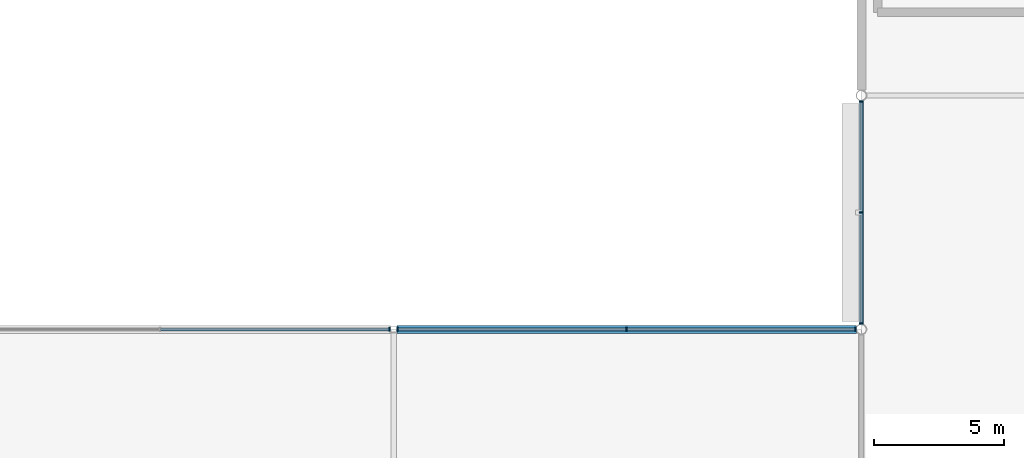
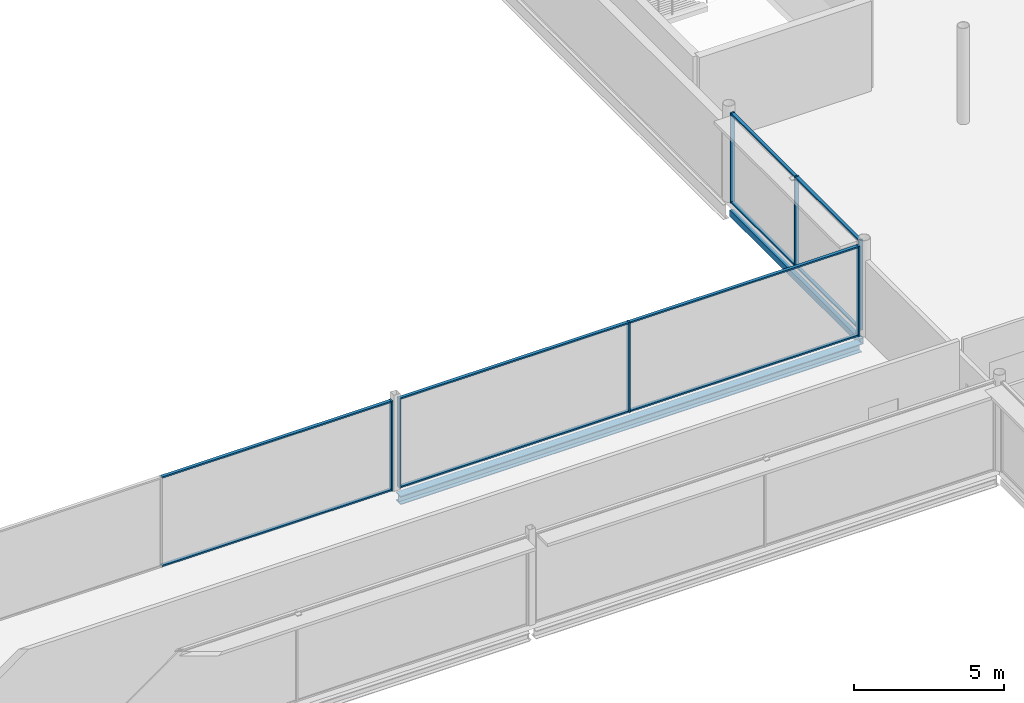
# One storey, part 41 of 96: 17 members, 2 beams, 3 elements without a shape of their own.
"""IFC4 building model written with IfcOpenShell, lengths in metres."""

from ifc_helpers import new_model, si_unit, direction, frame, origin, origin_2d, place, context, subcontext, project, spatial, rectangle, hollow_rectangle, i_section, extrude, material, layer, layer_set, material_profile, profile_set, type_object, element, aggregate, save


model = new_model("IFC4")

# Units and contexts
model_context = context("Model", 3, precision=1e-05, world=origin(), true_north=direction((0.0, 1.0)))
body_context = subcontext(model_context, "Body", "Model", "MODEL_VIEW")
ifc_project = project(units=[si_unit("LENGTHUNIT", "METRE"), si_unit("AREAUNIT", "SQUARE_METRE"), si_unit("VOLUMEUNIT", "CUBIC_METRE"), si_unit("PLANEANGLEUNIT", "RADIAN"), si_unit("MASSUNIT", "GRAM", prefix="KILO")], contexts=[model_context])

# Site, building, storey
site_placement = place(None, origin())
site = spatial("IfcSite", under=ifc_project, at=site_placement, CompositionType="ELEMENT")
building_placement = place(site_placement, origin())
building = spatial("IfcBuilding", under=site, at=building_placement, Name="Kisiwana Market Hall", CompositionType="ELEMENT")
storey_placement = place(building_placement, frame((0.0, 0.0, 25.5)))
storey = spatial("IfcBuildingStorey", under=building, at=storey_placement, Name="L05", CompositionType="ELEMENT", Elevation=25.5)

# Beams
ifc_material_1 = material(Name="Steel S355", Category="steel")
ifc_material_profile_1 = material_profile(ifc_material_1, i_section(OverallWidth=0.314453125, OverallDepth=0.33984375, WebThickness=0.01904296875, FlangeThickness=0.031494140625, at=origin_2d()), Name="UC 305x305x198")
ifc_profile_set_1 = profile_set([ifc_material_profile_1], Name="Steel S355")
beam_type_1 = type_object("IfcBeamType", Name="BM-SKYBR-CHORD", PredefinedType="BEAM", material=ifc_profile_set_1)
beam_1_placement = place(storey_placement, frame((135.12109375, 27.0, -0.43505859375), z_axis=(1.0, 0.0, 0.0), x_axis=(0.0, 1.0, 0.0)))
element("IfcBeam", 1, at=beam_1_placement, inside=storey, type_object=beam_type_1, Name="Floor beam B-1622", PredefinedType="BEAM", context=body_context, shape_type="SweptSolid", body=[
    extrude(i_section(OverallWidth=0.314453125, OverallDepth=0.33984375, WebThickness=0.01904296875, FlangeThickness=0.031494140625, at=origin_2d()), origin(), (0.0, 0.0, 1.0), 17.696533203125),
])
ifc_material_2 = material(Name="Steel S355", Category="steel")
ifc_material_profile_2 = material_profile(ifc_material_2, hollow_rectangle(XDim=0.14990234375, YDim=0.25, WallThickness=0.010009765625, at=origin_2d()), Name="RHS 250x150x10.0")
ifc_profile_set_2 = profile_set([ifc_material_profile_2], Name="Steel S355")
beam_type_2 = type_object("IfcBeamType", Name="BM-SPAN-RHS250", PredefinedType="SPANDREL", material=ifc_profile_set_2)
beam_2_placement = place(storey_placement, frame((153.0, 27.18017578125, -0.43994140625), z_axis=(0.0, 1.0, 0.0), x_axis=(-1.0, 0.0, 0.0)))
element("IfcBeam", 2, at=beam_2_placement, inside=storey, type_object=beam_type_2, Name="Floor beam B-1684", PredefinedType="SPANDREL", context=body_context, shape_type="SweptSolid", body=[
    extrude(hollow_rectangle(XDim=0.14990234375, YDim=0.25, WallThickness=0.010009765625, at=origin_2d()), origin(), (0.0, 0.0, 1.0), 8.6396484375),
])

# Curtain wall, member
ifc_material_3 = material(Name="Double-glazed solar-control low-E IGU", Category="glass")
ifc_layer = layer(ifc_material_3, 0.159912109375)
ifc_layer_set = layer_set([ifc_layer], Name="CW-ZNA-EW-8200")
curtain_wall_type = type_object("IfcCurtainWallType", Name="CW-ZNA-EW-8200", PredefinedType="USERDEFINED", material=ifc_layer_set)
curtain_wall_1_placement = place(storey_placement, origin())
curtain_wall_1 = element("IfcCurtainWall", 3, at=curtain_wall_1_placement, inside=storey, type_object=curtain_wall_type, Name="Unitised curtain wall CW-142 (L05)", ObjectType="UNITISED CURTAIN WALL", PredefinedType="USERDEFINED")
ifc_material_4 = material(Name="Aluminium alloy 6063-T6", Category="aluminium")
ifc_material_profile_3 = material_profile(ifc_material_4, rectangle(XDim=0.06005859375, YDim=0.159912109375, at=origin_2d()), Name="ALU MULLION 60x160")
ifc_profile_set_3 = profile_set([ifc_material_profile_3], Name="Aluminium alloy 6063-T6")
member_type_1 = type_object("IfcMemberType", Name="CW-MULL-60x160", PredefinedType="MULLION", material=ifc_profile_set_3)
member_1_placement = place(storey_placement, frame((134.844970703125, 27.0, 0.0), z_axis=(0.0, 0.0, 1.0), x_axis=(1.0, 0.0, 0.0)))
member_1 = element("IfcMember", 4, at=member_1_placement, type_object=member_type_1, Name="CW-142 mullion 3", PredefinedType="MULLION", context=body_context, shape_type="SweptSolid", body=[
    extrude(rectangle(XDim=0.06005859375, YDim=0.159912109375, at=origin_2d()), origin(), (0.0, 0.0, 1.0), 3.655029296875),
])

# Curtain wall, members
curtain_wall_2_placement = place(storey_placement, origin())
curtain_wall_2 = element("IfcCurtainWall", 5, at=curtain_wall_2_placement, inside=storey, type_object=curtain_wall_type, Name="Unitised curtain wall CW-143 (L05)", ObjectType="UNITISED CURTAIN WALL", PredefinedType="USERDEFINED")
member_2_placement = place(storey_placement, frame((135.155029296875, 27.0, 0.0), z_axis=(0.0, 0.0, 1.0), x_axis=(1.0, 0.0, 0.0)))
member_2 = element("IfcMember", 6, at=member_2_placement, type_object=member_type_1, Name="CW-143 mullion 1", PredefinedType="MULLION", context=body_context, shape_type="SweptSolid", body=[
    extrude(rectangle(XDim=0.06005859375, YDim=0.159912109375, at=origin_2d()), origin(), (0.0, 0.0, 1.0), 3.655029296875),
])
member_3_placement = place(storey_placement, frame((143.9609375, 27.0, 0.0), z_axis=(0.0, 0.0, 1.0), x_axis=(1.0, 0.0, 0.0)))
member_3 = element("IfcMember", 7, at=member_3_placement, type_object=member_type_1, Name="CW-143 mullion 2", PredefinedType="MULLION", context=body_context, shape_type="SweptSolid", body=[
    extrude(rectangle(XDim=0.06005859375, YDim=0.159912109375, at=origin_2d()), origin(), (0.0, 0.0, 1.0), 3.655029296875),
])
member_4_placement = place(storey_placement, frame((152.766845703125, 27.0, 0.0), z_axis=(0.0, 0.0, 1.0), x_axis=(1.0, 0.0, 0.0)))
member_4 = element("IfcMember", 8, at=member_4_placement, type_object=member_type_1, Name="CW-143 mullion 3", PredefinedType="MULLION", context=body_context, shape_type="SweptSolid", body=[
    extrude(rectangle(XDim=0.06005859375, YDim=0.159912109375, at=origin_2d()), origin(), (0.0, 0.0, 1.0), 3.655029296875),
])

curtain_wall_3_placement = place(storey_placement, origin())
curtain_wall_3 = element("IfcCurtainWall", 9, at=curtain_wall_3_placement, inside=storey, type_object=curtain_wall_type, Name="Unitised curtain wall CW-165 (L05)", ObjectType="UNITISED CURTAIN WALL", PredefinedType="USERDEFINED")
member_5_placement = place(storey_placement, frame((153.0, 27.233154296875, 0.0), z_axis=(0.0, 0.0, 1.0), x_axis=(0.0, 1.0, 0.0)))
member_5 = element("IfcMember", 10, at=member_5_placement, type_object=member_type_1, Name="CW-165 mullion 1", PredefinedType="MULLION", context=body_context, shape_type="SweptSolid", body=[
    extrude(rectangle(XDim=0.06005859375, YDim=0.159912109375, at=origin_2d()), origin(), (0.0, 0.0, 1.0), 3.655029296875),
])
member_6_placement = place(storey_placement, frame((153.0, 31.5, 0.0), z_axis=(0.0, 0.0, 1.0), x_axis=(0.0, 1.0, 0.0)))
member_6 = element("IfcMember", 11, at=member_6_placement, type_object=member_type_1, Name="CW-165 mullion 2", PredefinedType="MULLION", context=body_context, shape_type="SweptSolid", body=[
    extrude(rectangle(XDim=0.06005859375, YDim=0.159912109375, at=origin_2d()), origin(), (0.0, 0.0, 1.0), 3.655029296875),
])
member_7_placement = place(storey_placement, frame((153.0, 35.766845703125, 0.0), z_axis=(0.0, 0.0, 1.0), x_axis=(0.0, 1.0, 0.0)))
member_7 = element("IfcMember", 12, at=member_7_placement, type_object=member_type_1, Name="CW-165 mullion 3", PredefinedType="MULLION", context=body_context, shape_type="SweptSolid", body=[
    extrude(rectangle(XDim=0.06005859375, YDim=0.159912109375, at=origin_2d()), origin(), (0.0, 0.0, 1.0), 3.655029296875),
])

# Member
ifc_material_5 = material(Name="Aluminium alloy 6063-T6", Category="aluminium")
ifc_material_profile_4 = material_profile(ifc_material_5, rectangle(XDim=0.1201171875, YDim=0.06005859375, at=origin_2d()), Name="ALU TRANSOM 60x120")
ifc_profile_set_4 = profile_set([ifc_material_profile_4], Name="Aluminium alloy 6063-T6")
member_type_2 = type_object("IfcMemberType", Name="CW-TRAN-60x120", PredefinedType="USERDEFINED", material=ifc_profile_set_4)
member_8_placement = place(storey_placement, frame((126.030029296875, 27.0, 0.030029296875), z_axis=(1.0, 0.0, 0.0), x_axis=(0.0, 1.0, 0.0)))
member_8 = element("IfcMember", 13, at=member_8_placement, type_object=member_type_2, Name="CW-142 transom 2.1", ObjectType="TRANSOM", PredefinedType="USERDEFINED", context=body_context, shape_type="SweptSolid", body=[
    extrude(rectangle(XDim=0.1201171875, YDim=0.06005859375, at=origin_2d()), origin(), (0.0, 0.0, 1.0), 8.784912109375),
])

member_9_placement = place(storey_placement, frame((126.030029296875, 27.0, 3.625), z_axis=(1.0, 0.0, 0.0), x_axis=(0.0, 1.0, 0.0)))
member_9 = element("IfcMember", 14, at=member_9_placement, type_object=member_type_2, Name="CW-142 transom 2.2", ObjectType="TRANSOM", PredefinedType="USERDEFINED", context=body_context, shape_type="SweptSolid", body=[
    extrude(rectangle(XDim=0.1201171875, YDim=0.06005859375, at=origin_2d()), origin(), (0.0, 0.0, 1.0), 8.784912109375),
])

aggregate(curtain_wall_1, [member_1, member_8, member_9])

member_10_placement = place(storey_placement, frame((135.18505859375, 27.0, 0.030029296875), z_axis=(1.0, 0.0, 0.0), x_axis=(0.0, 1.0, 0.0)))
member_10 = element("IfcMember", 15, at=member_10_placement, type_object=member_type_2, Name="CW-143 transom 1.1", ObjectType="TRANSOM", PredefinedType="USERDEFINED", context=body_context, shape_type="SweptSolid", body=[
    extrude(rectangle(XDim=0.1201171875, YDim=0.06005859375, at=origin_2d()), origin(), (0.0, 0.0, 1.0), 8.745849609375),
])

member_11_placement = place(storey_placement, frame((135.18505859375, 27.0, 3.625), z_axis=(1.0, 0.0, 0.0), x_axis=(0.0, 1.0, 0.0)))
member_11 = element("IfcMember", 16, at=member_11_placement, type_object=member_type_2, Name="CW-143 transom 1.2", ObjectType="TRANSOM", PredefinedType="USERDEFINED", context=body_context, shape_type="SweptSolid", body=[
    extrude(rectangle(XDim=0.1201171875, YDim=0.06005859375, at=origin_2d()), origin(), (0.0, 0.0, 1.0), 8.745849609375),
])

member_12_placement = place(storey_placement, frame((143.990966796875, 27.0, 0.030029296875), z_axis=(1.0, 0.0, 0.0), x_axis=(0.0, 1.0, 0.0)))
member_12 = element("IfcMember", 17, at=member_12_placement, type_object=member_type_2, Name="CW-143 transom 2.1", ObjectType="TRANSOM", PredefinedType="USERDEFINED", context=body_context, shape_type="SweptSolid", body=[
    extrude(rectangle(XDim=0.1201171875, YDim=0.06005859375, at=origin_2d()), origin(), (0.0, 0.0, 1.0), 8.745849609375),
])

member_13_placement = place(storey_placement, frame((143.990966796875, 27.0, 3.625), z_axis=(1.0, 0.0, 0.0), x_axis=(0.0, 1.0, 0.0)))
member_13 = element("IfcMember", 18, at=member_13_placement, type_object=member_type_2, Name="CW-143 transom 2.2", ObjectType="TRANSOM", PredefinedType="USERDEFINED", context=body_context, shape_type="SweptSolid", body=[
    extrude(rectangle(XDim=0.1201171875, YDim=0.06005859375, at=origin_2d()), origin(), (0.0, 0.0, 1.0), 8.745849609375),
])

aggregate(curtain_wall_2, [member_2, member_3, member_4, member_10, member_11, member_12, member_13])

member_14_placement = place(storey_placement, frame((153.0, 27.26318359375, 0.030029296875), z_axis=(0.0, 1.0, 0.0), x_axis=(-1.0, 0.0, 0.0)))
member_14 = element("IfcMember", 19, at=member_14_placement, type_object=member_type_2, Name="CW-165 transom 1.1", ObjectType="TRANSOM", PredefinedType="USERDEFINED", context=body_context, shape_type="SweptSolid", body=[
    extrude(rectangle(XDim=0.1201171875, YDim=0.06005859375, at=origin_2d()), origin(), (0.0, 0.0, 1.0), 4.206787109375),
])

member_15_placement = place(storey_placement, frame((153.0, 27.26318359375, 3.625), z_axis=(0.0, 1.0, 0.0), x_axis=(-1.0, 0.0, 0.0)))
member_15 = element("IfcMember", 20, at=member_15_placement, type_object=member_type_2, Name="CW-165 transom 1.2", ObjectType="TRANSOM", PredefinedType="USERDEFINED", context=body_context, shape_type="SweptSolid", body=[
    extrude(rectangle(XDim=0.1201171875, YDim=0.06005859375, at=origin_2d()), origin(), (0.0, 0.0, 1.0), 4.206787109375),
])

member_16_placement = place(storey_placement, frame((153.0, 31.530029296875, 0.030029296875), z_axis=(0.0, 1.0, 0.0), x_axis=(-1.0, 0.0, 0.0)))
member_16 = element("IfcMember", 21, at=member_16_placement, type_object=member_type_2, Name="CW-165 transom 2.1", ObjectType="TRANSOM", PredefinedType="USERDEFINED", context=body_context, shape_type="SweptSolid", body=[
    extrude(rectangle(XDim=0.1201171875, YDim=0.06005859375, at=origin_2d()), origin(), (0.0, 0.0, 1.0), 4.206787109375),
])

member_17_placement = place(storey_placement, frame((153.0, 31.530029296875, 3.625), z_axis=(0.0, 1.0, 0.0), x_axis=(-1.0, 0.0, 0.0)))
member_17 = element("IfcMember", 22, at=member_17_placement, type_object=member_type_2, Name="CW-165 transom 2.2", ObjectType="TRANSOM", PredefinedType="USERDEFINED", context=body_context, shape_type="SweptSolid", body=[
    extrude(rectangle(XDim=0.1201171875, YDim=0.06005859375, at=origin_2d()), origin(), (0.0, 0.0, 1.0), 4.206787109375),
])

aggregate(curtain_wall_3, [member_5, member_6, member_7, member_14, member_15, member_16, member_17])

save(model, "model.ifc")
